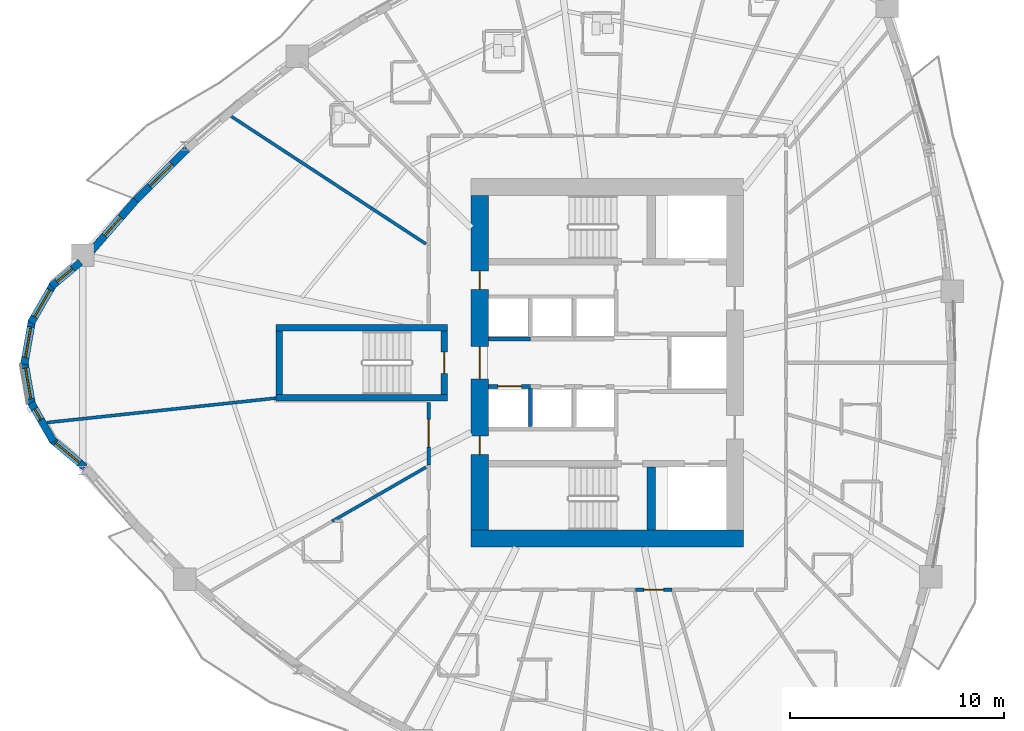
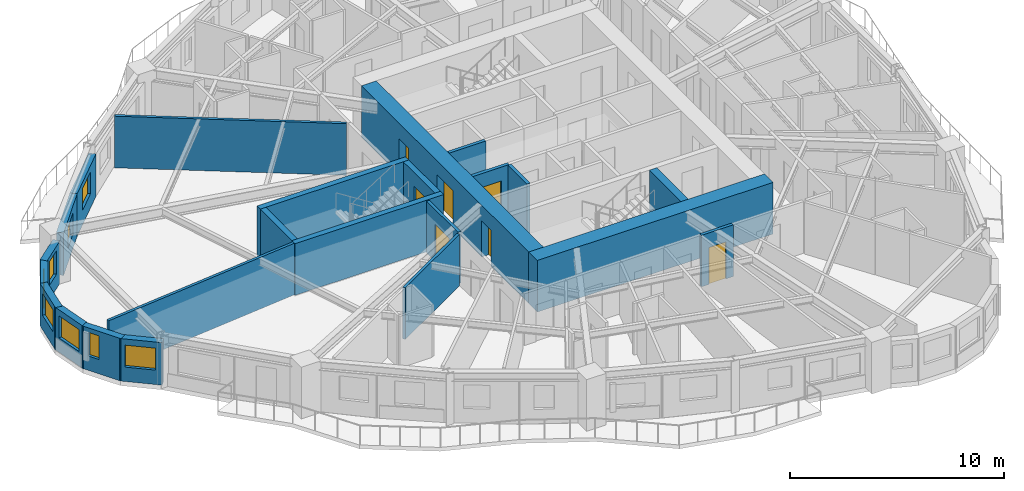
# One storey, part 4 of 14: 23 walls, 8 windows, 7 doors, 15 openings.
"""IFC4 building model written with IfcOpenShell, lengths in metres."""

from ifc_helpers import new_model, si_unit, direction, frame, frame_2d, origin, place, context, subcontext, project, spatial, rectangle, extrude, source, transform, mapped, material, layer, layer_set, type_object, element, fill, save


model = new_model("IFC4")

# Units and contexts
model_context = context("Model", 3, precision=1e-05, world=origin(), true_north=direction((0.0, 1.0)))
body_context = subcontext(model_context, "Body", "Model", "MODEL_VIEW")
ifc_project = project(units=[si_unit("LENGTHUNIT", "METRE"), si_unit("AREAUNIT", "SQUARE_METRE"), si_unit("VOLUMEUNIT", "CUBIC_METRE"), si_unit("PLANEANGLEUNIT", "RADIAN"), si_unit("MASSUNIT", "GRAM", prefix="KILO")], contexts=[model_context])

# Site, building, storey
site_placement = place(None, origin())
site = spatial("IfcSite", under=ifc_project, at=site_placement, CompositionType="ELEMENT")
building_placement = place(site_placement, origin())
building = spatial("IfcBuilding", under=site, at=building_placement, Name="Qafzar Sky-Pleat Residences", CompositionType="ELEMENT")
storey_placement = place(building_placement, frame((0.0, 0.0, 11.0)))
storey = spatial("IfcBuildingStorey", under=building, at=storey_placement, Name="L02", CompositionType="ELEMENT", Elevation=11.0)

# Wall, opening, door
ifc_material_1 = material(Name="Acoustic gypsum plasterboard partition", Category="gypsum")
ifc_layer_1 = layer(ifc_material_1, 0.159912109375)
ifc_layer_set_1 = layer_set([ifc_layer_1], Name="Acoustic gypsum plasterboard partition")
wall_type_1 = type_object("IfcWallType", Name="PART-COR-160", PredefinedType="PARTITIONING", material=ifc_layer_set_1)
wall_1_placement = place(storey_placement, frame((22.02001953125, 21.23291015625, 0.0), z_axis=(0.0, 0.0, 1.0), x_axis=(0.0, 1.0, 0.0)))
wall_1 = element("IfcWall", 1, at=wall_1_placement, inside=storey, type_object=wall_type_1, Name="L02 Partition Wall PART-L02-PW-008", PredefinedType="PARTITIONING", context=body_context, shape_type="SweptSolid", body=[
    extrude(rectangle(XDim=2.9169921875, YDim=0.159912109375, at=frame_2d((1.45849609375, 0.0))), origin(), (0.0, 0.0, 1.0), 2.93994140625),
])
opening_1_placement = place(wall_1_placement, frame((0.830078125, 0.0, 0.0)))
opening_1 = element("IfcOpeningElement", 2, at=opening_1_placement, cuts=wall_1, Name="Opening ID-05", PredefinedType="OPENING", context=body_context, shape_type="SweptSolid", body=[
    extrude(rectangle(XDim=1.300048828125, YDim=2.10009765625, at=frame_2d((0.64990234375, 1.050048828125))), frame((0.0, 0.08984375, 0.0), z_axis=(0.0, -1.0, 0.0), x_axis=(1.0, 0.0, 0.0)), (0.0, 0.0, 1.0), 0.179931640625),
])
ifc_material_2 = material(Name="Timber-faced fire door", Category="wood")
door_type_1 = type_object("IfcDoorType", Name="DR-LNG-1300", OperationType="DOUBLE_DOOR_SINGLE_SWING", PredefinedType="DOOR", material=ifc_material_2)
shared_shape_1 = source(origin(), body_context, "Body", "SweptSolid", [
    extrude(rectangle(XDim=1.300048828125, YDim=2.10009765625, at=frame_2d((0.64990234375, 1.050048828125))), frame((0.0, 0.02490234375, 0.0), z_axis=(0.0, -1.0, 0.0), x_axis=(1.0, 0.0, 0.0)), (0.0, 0.0, 1.0), 0.050048828125),
])
door_1_placement = place(opening_1_placement, origin())
door_1 = element("IfcDoor", 3, at=door_1_placement, inside=storey, type_object=door_type_1, Name="L02 Resident Atrium Foyer Door", OperationType="DOUBLE_DOOR_SINGLE_SWING", OverallHeight=2.10009765625, OverallWidth=1.300048828125, PredefinedType="DOOR", context=body_context, shape_type="MappedRepresentation", body=[
    mapped(shared_shape_1, transform((0.0, 0.0, 0.0), x_axis=(1.0, 0.0, 0.0), y_axis=(0.0, 1.0, 0.0), z_axis=(0.0, 0.0, 1.0), scale=1.0)),
])
fill(opening_1, door_1)

wall_2_placement = place(storey_placement, frame((33.364990234375, 15.419921875, 0.0), z_axis=(0.0, 0.0, 1.0), x_axis=(-1.0, 0.0, 0.0)))
wall_2 = element("IfcWall", 4, at=wall_2_placement, inside=storey, type_object=wall_type_1, Name="L02 Partition Wall PART-L02-PW-037", PredefinedType="PARTITIONING", context=body_context, shape_type="SweptSolid", body=[
    extrude(rectangle(XDim=1.7041015625, YDim=0.159912109375, at=frame_2d((0.85205078125, 0.0))), origin(), (0.0, 0.0, 1.0), 2.93994140625),
])
opening_2_placement = place(wall_2_placement, frame((0.39208984375, 0.0, 0.0)))
opening_2 = element("IfcOpeningElement", 5, at=opening_2_placement, cuts=wall_2, Name="Opening ID-04", PredefinedType="OPENING", context=body_context, shape_type="SweptSolid", body=[
    extrude(rectangle(XDim=0.919921875, YDim=2.10009765625, at=frame_2d((0.4599609375, 1.050048828125))), frame((0.0, 0.08984375, 0.0), z_axis=(0.0, -1.0, 0.0), x_axis=(1.0, 0.0, 0.0)), (0.0, 0.0, 1.0), 0.179931640625),
])
door_type_2 = type_object("IfcDoorType", Name="DR-BED-920", OperationType="NOTDEFINED", PredefinedType="DOOR", material=ifc_material_2)
shared_shape_2 = source(origin(), body_context, "Body", "SweptSolid", [
    extrude(rectangle(XDim=0.919921875, YDim=2.10009765625, at=frame_2d((0.4599609375, 1.050048828125))), frame((0.0, 0.02490234375, 0.0), z_axis=(0.0, -1.0, 0.0), x_axis=(1.0, 0.0, 0.0)), (0.0, 0.0, 1.0), 0.050048828125),
])
door_2_placement = place(opening_2_placement, origin())
door_2 = element("IfcDoor", 6, at=door_2_placement, inside=storey, type_object=door_type_2, Name="L02 Co-Living Bedroom 16 Door", OperationType="SINGLE_SWING_RIGHT", OverallHeight=2.10009765625, OverallWidth=0.919921875, PredefinedType="DOOR", context=body_context, shape_type="MappedRepresentation", body=[
    mapped(shared_shape_2, transform((0.0, 0.0, 0.0), x_axis=(1.0, 0.0, 0.0), y_axis=(0.0, 1.0, 0.0), z_axis=(0.0, 0.0, 1.0), scale=1.0)),
])
fill(opening_2, door_2)

ifc_material_3 = material(Name="Concrete blockwork partition", Category="masonry")
ifc_layer_2 = layer(ifc_material_3, 0.179931640625)
ifc_layer_set_2 = layer_set([ifc_layer_2], Name="Concrete blockwork partition")
wall_type_2 = type_object("IfcWallType", Name="PART-SHAFT-180", PredefinedType="PARTITIONING", material=ifc_layer_set_2)
wall_3_placement = place(storey_placement, frame((24.81005859375, 24.89990234375, 0.0), z_axis=(0.0, 0.0, 1.0), x_axis=(1.0, 0.0, 0.0)))
wall_3 = element("IfcWall", 7, at=wall_3_placement, inside=storey, type_object=wall_type_2, Name="L02 Partition Wall PART-L02-P1-N", PredefinedType="PARTITIONING", context=body_context, shape_type="SweptSolid", body=[
    extrude(rectangle(XDim=1.96484375, YDim=0.179931640625, at=frame_2d((0.982421875, 0.0))), origin(), (0.0, 0.0, 1.0), 2.93994140625),
])
opening_3_placement = place(wall_3_placement, frame((0.4326171875, 0.0, 0.0)))
opening_3 = element("IfcOpeningElement", 8, at=opening_3_placement, cuts=wall_3, Name="Opening LD-01", PredefinedType="OPENING", context=body_context, shape_type="SweptSolid", body=[
    extrude(rectangle(XDim=1.10009765625, YDim=2.14990234375, at=frame_2d((0.550048828125, 1.074951171875))), frame((0.0, 0.10009765625, 0.0), z_axis=(0.0, -1.0, 0.0), x_axis=(1.0, 0.0, 0.0)), (0.0, 0.0, 1.0), 0.199951171875),
])
ifc_material_4 = material(Name="Stainless steel sliding landing door", Category="steel")
door_type_3 = type_object("IfcDoorType", Name="DR-LIFT-P", OperationType="DOUBLE_DOOR_SLIDING", PredefinedType="DOOR", material=ifc_material_4)
shared_shape_3 = source(origin(), body_context, "Body", "SweptSolid", [
    extrude(rectangle(XDim=1.10009765625, YDim=2.14990234375, at=frame_2d((0.550048828125, 1.074951171875))), frame((0.0, 0.02490234375, 0.0), z_axis=(0.0, -1.0, 0.0), x_axis=(1.0, 0.0, 0.0)), (0.0, 0.0, 1.0), 0.050048828125),
])
door_3_placement = place(opening_3_placement, origin())
door_3 = element("IfcDoor", 9, at=door_3_placement, inside=storey, type_object=door_type_3, Name="L02 Passenger Lift P1 Landing Door", OperationType="DOUBLE_DOOR_SLIDING", OverallHeight=2.14990234375, OverallWidth=1.10009765625, PredefinedType="DOOR", context=body_context, shape_type="MappedRepresentation", body=[
    mapped(shared_shape_3, transform((0.0, 0.0, 0.0), x_axis=(1.0, 0.0, 0.0), y_axis=(0.0, 1.0, 0.0), z_axis=(0.0, 0.0, 1.0), scale=1.0)),
])
fill(opening_3, door_3)

# Walls
wall_4_placement = place(storey_placement, frame((26.77490234375, 23.02001953125, 0.0), z_axis=(0.0, 0.0, 1.0), x_axis=(0.0, 1.0, 0.0)))
element("IfcWall", 10, at=wall_4_placement, inside=storey, type_object=wall_type_2, Name="L02 Partition Wall PART-L02-P13-DIV-1", PredefinedType="PARTITIONING", context=body_context, shape_type="SweptSolid", body=[
    extrude(rectangle(XDim=1.780029296875, YDim=0.179931640625, at=frame_2d((0.89013671875, 0.0))), origin(), (0.0, 0.0, 1.0), 2.93994140625),
])
wall_5_placement = place(storey_placement, frame((24.81005859375, 27.10009765625, 0.0), z_axis=(0.0, 0.0, 1.0), x_axis=(1.0, 0.0, 0.0)))
element("IfcWall", 11, at=wall_5_placement, inside=storey, type_object=wall_type_2, Name="L02 Partition Wall PART-L02-P4-S", PredefinedType="PARTITIONING", context=body_context, shape_type="SweptSolid", body=[
    extrude(rectangle(XDim=1.96484375, YDim=0.179931640625, at=frame_2d((0.982421875, 0.0))), origin(), (0.0, 0.0, 1.0), 2.93994140625),
])
ifc_layer_3 = layer(ifc_material_1, 0.14501953125)
ifc_layer_set_3 = layer_set([ifc_layer_3], Name="Acoustic gypsum plasterboard partition")
wall_type_3 = type_object("IfcWallType", Name="PART-UNIT-145", PredefinedType="PARTITIONING", material=ifc_layer_set_3)
wall_6_placement = place(storey_placement, frame((12.82861328125, 37.4794921875, 0.0), z_axis=(0.0, 0.0, 1.0), x_axis=(0.836435846472, -0.548064845376, 0.0)))
element("IfcWall", 12, at=wall_6_placement, inside=storey, type_object=wall_type_3, Name="L02 Partition Wall PART-L02-PW-041", PredefinedType="PARTITIONING", context=body_context, shape_type="SweptSolid", body=[
    extrude(rectangle(XDim=10.837646484375, YDim=0.14501953125, at=frame_2d((5.4189453125, 0.0))), origin(), (0.0, 0.0, 1.0), 2.93994140625),
])
wall_7_placement = place(storey_placement, frame((4.230712890625, 23.21240234375, 0.0), z_axis=(0.0, 0.0, 1.0), x_axis=(0.994353055544, 0.106122575023, 0.0)))
element("IfcWall", 13, at=wall_7_placement, inside=storey, type_object=wall_type_3, Name="L02 Partition Wall PART-L02-PW-042", PredefinedType="PARTITIONING", context=body_context, shape_type="SweptSolid", body=[
    extrude(rectangle(XDim=10.729736328125, YDim=0.14501953125, at=frame_2d((5.36474609375, 0.0))), origin(), (0.0, 0.0, 1.0), 2.93994140625),
])
wall_8_placement = place(storey_placement, frame((17.52392578125, 18.610107421875, 0.0), z_axis=(0.0, 0.0, 1.0), x_axis=(0.866454437228, 0.499256154903, 0.0)))
element("IfcWall", 14, at=wall_8_placement, inside=storey, type_object=wall_type_3, Name="L02 Partition Wall PART-L02-PW-056", PredefinedType="PARTITIONING", context=body_context, shape_type="SweptSolid", body=[
    extrude(rectangle(XDim=5.047119140625, YDim=0.14501953125, at=frame_2d((2.5234375, 0.0))), origin(), (0.0, 0.0, 1.0), 2.93994140625),
])

# Wall, opening, window
ifc_material_5 = material(Name="Precast concrete C40/50 with honed Riyadh limestone", Category="concrete")
ifc_layer_4 = layer(ifc_material_5, 0.35009765625)
ifc_layer_set_4 = layer_set([ifc_layer_4], Name="Precast concrete C40/50 with honed Riyadh limestone")
wall_type_4 = type_object("IfcWallType", Name="WALL-EXT-350", PredefinedType="SOLIDWALL", material=ifc_layer_set_4)
wall_9_placement = place(storey_placement, frame((5.78271484375, 30.696044921875, 0.0), z_axis=(0.0, 0.0, 1.0), x_axis=(-0.766058770736, -0.642770534311, 0.0)))
wall_9 = element("IfcWall", 15, at=wall_9_placement, inside=storey, type_object=wall_type_4, Name="L02 Limestone Facade Wall 1", PredefinedType="SOLIDWALL", context=body_context, shape_type="SweptSolid", body=[
    extrude(rectangle(XDim=1.75244140625, YDim=0.35009765625, at=frame_2d((0.876220703125, 0.0))), origin(), (0.0, 0.0, 1.0), 2.419921875),
])
opening_4_placement = place(wall_9_placement, frame((0.476318359375, 0.0, 0.820068359375)))
opening_4 = element("IfcOpeningElement", 16, at=opening_4_placement, cuts=wall_9, Name="Opening WN-12", PredefinedType="OPENING", context=body_context, shape_type="SweptSolid", body=[
    extrude(rectangle(XDim=0.949951171875, YDim=1.35009765625, at=frame_2d((0.47509765625, 0.675048828125))), frame((0.0, 0.18505859375, 0.0), z_axis=(0.0, -1.0, 0.0), x_axis=(1.0, 0.0, 0.0)), (0.0, 0.0, 1.0), 0.3701171875),
])
ifc_material_6 = material(Name="Solar-control low-E glass in bronze aluminium frame", Category="glass")
window_type_1 = type_object("IfcWindowType", Name="WIN-12", PartitioningType="SINGLE_PANEL", PredefinedType="WINDOW", material=ifc_material_6)
shared_shape_4 = source(origin(), body_context, "Body", "SweptSolid", [
    extrude(rectangle(XDim=0.949951171875, YDim=1.35009765625, at=frame_2d((0.47509765625, 0.675048828125))), frame((0.0, 0.030029296875, 0.0), z_axis=(0.0, -1.0, 0.0), x_axis=(1.0, 0.0, 0.0)), (0.0, 0.0, 1.0), 0.06005859375),
])
window_1_placement = place(opening_4_placement, origin())
window_1 = element("IfcWindow", 17, at=window_1_placement, inside=storey, type_object=window_type_1, Name="L02 Punched Facade Window 01", OverallHeight=1.35009765625, OverallWidth=0.949951171875, PartitioningType="SINGLE_PANEL", PredefinedType="WINDOW", context=body_context, shape_type="MappedRepresentation", body=[
    mapped(shared_shape_4, transform((0.0, 0.0, 0.0), x_axis=(1.0, 0.0, 0.0), y_axis=(0.0, 1.0, 0.0), z_axis=(0.0, 0.0, 1.0), scale=1.0)),
])
fill(opening_4, window_1)

wall_10_placement = place(storey_placement, frame((4.527587890625, 29.673583984375, 0.0), z_axis=(0.0, 0.0, 1.0), x_axis=(-0.499995423472, -0.866028046028, 0.0)))
wall_10 = element("IfcWall", 18, at=wall_10_placement, inside=storey, type_object=wall_type_4, Name="L02 Limestone Facade Wall 2", PredefinedType="SOLIDWALL", context=body_context, shape_type="SweptSolid", body=[
    extrude(rectangle(XDim=2.09033203125, YDim=0.35009765625, at=frame_2d((1.045166015625, 0.0))), origin(), (0.0, 0.0, 1.0), 2.419921875),
])
opening_5_placement = place(wall_10_placement, frame((0.3203125, 0.0, 0.820068359375)))
opening_5 = element("IfcOpeningElement", 19, at=opening_5_placement, cuts=wall_10, Name="Opening WN-15", PredefinedType="OPENING", context=body_context, shape_type="SweptSolid", body=[
    extrude(rectangle(XDim=1.449951171875, YDim=1.25, at=frame_2d((0.72509765625, 0.625))), frame((0.0, 0.18505859375, 0.0), z_axis=(0.0, -1.0, 0.0), x_axis=(1.0, 0.0, 0.0)), (0.0, 0.0, 1.0), 0.3701171875),
])
window_type_2 = type_object("IfcWindowType", Name="WIN-15", PartitioningType="SINGLE_PANEL", PredefinedType="WINDOW", material=ifc_material_6)
shared_shape_5 = source(origin(), body_context, "Body", "SweptSolid", [
    extrude(rectangle(XDim=1.449951171875, YDim=1.25, at=frame_2d((0.72509765625, 0.625))), frame((0.0, 0.030029296875, 0.0), z_axis=(0.0, -1.0, 0.0), x_axis=(1.0, 0.0, 0.0)), (0.0, 0.0, 1.0), 0.06005859375),
])
window_2_placement = place(opening_5_placement, origin())
window_2 = element("IfcWindow", 20, at=window_2_placement, inside=storey, type_object=window_type_2, Name="L02 Punched Facade Window 02", OverallHeight=1.25, OverallWidth=1.449951171875, PartitioningType="SINGLE_PANEL", PredefinedType="WINDOW", context=body_context, shape_type="MappedRepresentation", body=[
    mapped(shared_shape_5, transform((0.0, 0.0, 0.0), x_axis=(1.0, 0.0, 0.0), y_axis=(0.0, 1.0, 0.0), z_axis=(0.0, 0.0, 1.0), scale=1.0)),
])
fill(opening_5, window_2)

wall_11_placement = place(storey_placement, frame((3.52880859375, 27.99072265625, 0.0), z_axis=(0.0, 0.0, 1.0), x_axis=(-0.173672066494, -0.984803540469, 0.0)))
wall_11 = element("IfcWall", 21, at=wall_11_placement, inside=storey, type_object=wall_type_4, Name="L02 Limestone Facade Wall 3", PredefinedType="SOLIDWALL", context=body_context, shape_type="SweptSolid", body=[
    extrude(rectangle(XDim=2.09033203125, YDim=0.35009765625, at=frame_2d((1.045166015625, 0.0))), origin(), (0.0, 0.0, 1.0), 2.419921875),
])
opening_6_placement = place(wall_11_placement, frame((0.3203125, 0.0, 0.820068359375)))
opening_6 = element("IfcOpeningElement", 22, at=opening_6_placement, cuts=wall_11, Name="Opening WN-15", PredefinedType="OPENING", context=body_context, shape_type="SweptSolid", body=[
    extrude(rectangle(XDim=1.449951171875, YDim=1.25, at=frame_2d((0.72509765625, 0.625))), frame((0.0, 0.18505859375, 0.0), z_axis=(0.0, -1.0, 0.0), x_axis=(1.0, 0.0, 0.0)), (0.0, 0.0, 1.0), 0.3701171875),
])
window_3_placement = place(opening_6_placement, origin())
window_3 = element("IfcWindow", 23, at=window_3_placement, inside=storey, type_object=window_type_2, Name="L02 Punched Facade Window 03", OverallHeight=1.25, OverallWidth=1.449951171875, PartitioningType="SINGLE_PANEL", PredefinedType="WINDOW", context=body_context, shape_type="MappedRepresentation", body=[
    mapped(shared_shape_5, transform((0.0, 0.0, 0.0), x_axis=(1.0, 0.0, 0.0), y_axis=(0.0, 1.0, 0.0), z_axis=(0.0, 0.0, 1.0), scale=1.0)),
])
fill(opening_6, window_3)

wall_12_placement = place(storey_placement, frame((3.165771484375, 26.06787109375, 0.0), z_axis=(0.0, 0.0, 1.0), x_axis=(0.173672066494, -0.984803540469, 0.0)))
wall_12 = element("IfcWall", 24, at=wall_12_placement, inside=storey, type_object=wall_type_4, Name="L02 Limestone Facade Wall 4", PredefinedType="SOLIDWALL", context=body_context, shape_type="SweptSolid", body=[
    extrude(rectangle(XDim=2.09033203125, YDim=0.35009765625, at=frame_2d((1.045166015625, 0.0))), origin(), (0.0, 0.0, 1.0), 2.419921875),
])
opening_7_placement = place(wall_12_placement, frame((0.3203125, 0.0, 0.820068359375)))
opening_7 = element("IfcOpeningElement", 25, at=opening_7_placement, cuts=wall_12, Name="Opening WN-15", PredefinedType="OPENING", context=body_context, shape_type="SweptSolid", body=[
    extrude(rectangle(XDim=1.449951171875, YDim=1.25, at=frame_2d((0.72509765625, 0.625))), frame((0.0, 0.18505859375, 0.0), z_axis=(0.0, -1.0, 0.0), x_axis=(1.0, 0.0, 0.0)), (0.0, 0.0, 1.0), 0.3701171875),
])
window_4_placement = place(opening_7_placement, origin())
window_4 = element("IfcWindow", 26, at=window_4_placement, inside=storey, type_object=window_type_2, Name="L02 Punched Facade Window 04", OverallHeight=1.25, OverallWidth=1.449951171875, PartitioningType="SINGLE_PANEL", PredefinedType="WINDOW", context=body_context, shape_type="MappedRepresentation", body=[
    mapped(shared_shape_5, transform((0.0, 0.0, 0.0), x_axis=(1.0, 0.0, 0.0), y_axis=(0.0, 1.0, 0.0), z_axis=(0.0, 0.0, 1.0), scale=1.0)),
])
fill(opening_7, window_4)

wall_13_placement = place(storey_placement, frame((3.482421875, 24.13671875, 0.0), z_axis=(0.0, 0.0, 1.0), x_axis=(0.499995423472, -0.866028046028, 0.0)))
wall_13 = element("IfcWall", 27, at=wall_13_placement, inside=storey, type_object=wall_type_4, Name="L02 Limestone Facade Wall 5", PredefinedType="SOLIDWALL", context=body_context, shape_type="SweptSolid", body=[
    extrude(rectangle(XDim=2.09033203125, YDim=0.35009765625, at=frame_2d((1.045166015625, 0.0))), origin(), (0.0, 0.0, 1.0), 2.419921875),
])
opening_8_placement = place(wall_13_placement, frame((0.332763671875, 0.0, 0.820068359375)))
opening_8 = element("IfcOpeningElement", 28, at=opening_8_placement, cuts=wall_13, Name="Opening WN-17", PredefinedType="OPENING", context=body_context, shape_type="SweptSolid", body=[
    extrude(rectangle(XDim=0.580078125, YDim=1.35009765625, at=frame_2d((0.2900390625, 0.675048828125))), frame((0.0, 0.18505859375, 0.0), z_axis=(0.0, -1.0, 0.0), x_axis=(1.0, 0.0, 0.0)), (0.0, 0.0, 1.0), 0.3701171875),
])
window_type_3 = type_object("IfcWindowType", Name="WIN-17", PartitioningType="SINGLE_PANEL", PredefinedType="WINDOW", material=ifc_material_6)
shared_shape_6 = source(origin(), body_context, "Body", "SweptSolid", [
    extrude(rectangle(XDim=0.580078125, YDim=1.35009765625, at=frame_2d((0.2900390625, 0.675048828125))), frame((0.0, 0.030029296875, 0.0), z_axis=(0.0, -1.0, 0.0), x_axis=(1.0, 0.0, 0.0)), (0.0, 0.0, 1.0), 0.06005859375),
])
window_5_placement = place(opening_8_placement, origin())
window_5 = element("IfcWindow", 29, at=window_5_placement, inside=storey, type_object=window_type_3, Name="L02 Punched Facade Window 05", OverallHeight=1.35009765625, OverallWidth=0.580078125, PartitioningType="SINGLE_PANEL", PredefinedType="WINDOW", context=body_context, shape_type="MappedRepresentation", body=[
    mapped(shared_shape_6, transform((0.0, 0.0, 0.0), x_axis=(1.0, 0.0, 0.0), y_axis=(0.0, 1.0, 0.0), z_axis=(0.0, 0.0, 1.0), scale=1.0)),
])
fill(opening_8, window_5)

wall_14_placement = place(storey_placement, frame((4.440185546875, 22.430419921875, 0.0), z_axis=(0.0, 0.0, 1.0), x_axis=(0.766090423188, -0.642732808793, 0.0)))
wall_14 = element("IfcWall", 30, at=wall_14_placement, inside=storey, type_object=wall_type_4, Name="L02 Limestone Facade Wall 6", PredefinedType="SOLIDWALL", context=body_context, shape_type="SweptSolid", body=[
    extrude(rectangle(XDim=2.032470703125, YDim=0.35009765625, at=frame_2d((1.01611328125, 0.0))), origin(), (0.0, 0.0, 1.0), 2.419921875),
])
opening_9_placement = place(wall_14_placement, frame((0.26123046875, 0.0, 0.820068359375)))
opening_9 = element("IfcOpeningElement", 31, at=opening_9_placement, cuts=wall_14, Name="Opening WN-15", PredefinedType="OPENING", context=body_context, shape_type="SweptSolid", body=[
    extrude(rectangle(XDim=1.449951171875, YDim=1.25, at=frame_2d((0.72509765625, 0.625))), frame((0.0, 0.18505859375, 0.0), z_axis=(0.0, -1.0, 0.0), x_axis=(1.0, 0.0, 0.0)), (0.0, 0.0, 1.0), 0.3701171875),
])
window_6_placement = place(opening_9_placement, origin())
window_6 = element("IfcWindow", 32, at=window_6_placement, inside=storey, type_object=window_type_2, Name="L02 Punched Facade Window 06", OverallHeight=1.25, OverallWidth=1.449951171875, PartitioningType="SINGLE_PANEL", PredefinedType="WINDOW", context=body_context, shape_type="MappedRepresentation", body=[
    mapped(shared_shape_5, transform((0.0, 0.0, 0.0), x_axis=(1.0, 0.0, 0.0), y_axis=(0.0, 1.0, 0.0), z_axis=(0.0, 0.0, 1.0), scale=1.0)),
])
fill(opening_9, window_6)

wall_15_placement = place(storey_placement, frame((10.75830078125, 35.96142578125, 0.0), z_axis=(0.0, 0.0, 1.0), x_axis=(-0.708411305333, -0.705799845903, 0.0)))
wall_15 = element("IfcWall", 33, at=wall_15_placement, inside=storey, type_object=wall_type_4, Name="L02 Limestone Facade Wall 47", PredefinedType="SOLIDWALL", context=body_context, shape_type="SweptSolid", body=[
    extrude(rectangle(XDim=3.458984375, YDim=0.35009765625, at=frame_2d((1.7294921875, 0.0))), origin(), (0.0, 0.0, 1.0), 2.419921875),
])
opening_10_placement = place(wall_15_placement, frame((0.99462890625, 0.0, 0.820068359375)))
opening_10 = element("IfcOpeningElement", 34, at=opening_10_placement, cuts=wall_15, Name="Opening WN-15", PredefinedType="OPENING", context=body_context, shape_type="SweptSolid", body=[
    extrude(rectangle(XDim=1.449951171875, YDim=1.25, at=frame_2d((0.72509765625, 0.625))), frame((0.0, 0.18505859375, 0.0), z_axis=(0.0, -1.0, 0.0), x_axis=(1.0, 0.0, 0.0)), (0.0, 0.0, 1.0), 0.3701171875),
])
window_7_placement = place(opening_10_placement, origin())
window_7 = element("IfcWindow", 35, at=window_7_placement, inside=storey, type_object=window_type_2, Name="L02 Punched Facade Window 47", OverallHeight=1.25, OverallWidth=1.449951171875, PartitioningType="SINGLE_PANEL", PredefinedType="WINDOW", context=body_context, shape_type="MappedRepresentation", body=[
    mapped(shared_shape_5, transform((0.0, 0.0, 0.0), x_axis=(1.0, 0.0, 0.0), y_axis=(0.0, 1.0, 0.0), z_axis=(0.0, 0.0, 1.0), scale=1.0)),
])
fill(opening_10, window_7)

wall_16_placement = place(storey_placement, frame((8.3681640625, 33.584228515625, 0.0), z_axis=(0.0, 0.0, 1.0), x_axis=(-0.657638042269, -0.753334059605, 0.0)))
wall_16 = element("IfcWall", 36, at=wall_16_placement, inside=storey, type_object=wall_type_4, Name="L02 Limestone Facade Wall 48", PredefinedType="SOLIDWALL", context=body_context, shape_type="SweptSolid", body=[
    extrude(rectangle(XDim=3.252685546875, YDim=0.35009765625, at=frame_2d((1.62646484375, 0.0))), origin(), (0.0, 0.0, 1.0), 2.419921875),
])
opening_11_placement = place(wall_16_placement, frame((1.056396484375, 0.0, 0.820068359375)))
opening_11 = element("IfcOpeningElement", 37, at=opening_11_placement, cuts=wall_16, Name="Opening WN-16", PredefinedType="OPENING", context=body_context, shape_type="SweptSolid", body=[
    extrude(rectangle(XDim=1.14990234375, YDim=1.199951171875, at=frame_2d((0.574951171875, 0.60009765625))), frame((0.0, 0.18505859375, 0.0), z_axis=(0.0, -1.0, 0.0), x_axis=(1.0, 0.0, 0.0)), (0.0, 0.0, 1.0), 0.3701171875),
])
window_type_4 = type_object("IfcWindowType", Name="WIN-16", PartitioningType="SINGLE_PANEL", PredefinedType="WINDOW", material=ifc_material_6)
shared_shape_7 = source(origin(), body_context, "Body", "SweptSolid", [
    extrude(rectangle(XDim=1.14990234375, YDim=1.199951171875, at=frame_2d((0.574951171875, 0.60009765625))), frame((0.0, 0.030029296875, 0.0), z_axis=(0.0, -1.0, 0.0), x_axis=(1.0, 0.0, 0.0)), (0.0, 0.0, 1.0), 0.06005859375),
])
window_8_placement = place(opening_11_placement, origin())
window_8 = element("IfcWindow", 38, at=window_8_placement, inside=storey, type_object=window_type_4, Name="L02 Punched Facade Window 48", OverallHeight=1.199951171875, OverallWidth=1.14990234375, PartitioningType="SINGLE_PANEL", PredefinedType="WINDOW", context=body_context, shape_type="MappedRepresentation", body=[
    mapped(shared_shape_7, transform((0.0, 0.0, 0.0), x_axis=(1.0, 0.0, 0.0), y_axis=(0.0, 1.0, 0.0), z_axis=(0.0, 0.0, 1.0), scale=1.0)),
])
fill(opening_11, window_8)

# Walls
ifc_material_7 = material(Name="Concrete C60/75", Category="concrete")
ifc_layer_5 = layer(ifc_material_7, 0.300048828125)
ifc_layer_set_5 = layer_set([ifc_layer_5], Name="Concrete C60/75")
wall_type_5 = type_object("IfcWallType", Name="WALL-SHEAR-300", PredefinedType="SHEAR", material=ifc_layer_set_5)
for number, where, z_axis, x_axis, name in (
    (39, (14.89990234375, 24.375, 0.0), (0.0, 0.0, 1.0), (1.0, 0.0, 0.0), "L02 ST3 wall S"),
    (40, (22.89990234375, 27.625, 0.0), (0.0, 0.0, 1.0), (-1.0, 0.0, 0.0), "L02 ST3 wall N"),
):
    element("IfcWall", number, at=place(storey_placement, frame(where, z_axis=z_axis, x_axis=x_axis)), inside=storey, type_object=wall_type_5, Name=name, PredefinedType="SHEAR", context=body_context, shape_type="SweptSolid", body=[
        extrude(rectangle(XDim=8.0, YDim=0.300048828125, at=frame_2d((4.0, 0.0))), origin(), (0.0, 0.0, 1.0), 2.93994140625),
    ])
wall_17_placement = place(storey_placement, frame((15.050048828125, 27.47509765625, 0.0), z_axis=(0.0, 0.0, 1.0), x_axis=(0.0, -1.0, 0.0)))
element("IfcWall", 41, at=wall_17_placement, inside=storey, type_object=wall_type_5, Name="L02 ST3 wall W", PredefinedType="SHEAR", context=body_context, shape_type="SweptSolid", body=[
    extrude(rectangle(XDim=2.9501953125, YDim=0.300048828125, at=frame_2d((1.47509765625, 0.0))), origin(), (0.0, 0.0, 1.0), 2.93994140625),
])

# Wall, opening, door
wall_18_placement = place(storey_placement, frame((22.75, 24.52490234375, 0.0), z_axis=(0.0, 0.0, 1.0), x_axis=(0.0, 1.0, 0.0)))
wall_18 = element("IfcWall", 42, at=wall_18_placement, inside=storey, type_object=wall_type_5, Name="L02 ST3 wall E", PredefinedType="SHEAR", context=body_context, shape_type="SweptSolid", body=[
    extrude(rectangle(XDim=2.9501953125, YDim=0.300048828125, at=frame_2d((1.47509765625, 0.0))), origin(), (0.0, 0.0, 1.0), 2.93994140625),
])
opening_12_placement = place(wall_18_placement, frame((0.985107421875, 0.0, 0.0)))
opening_12 = element("IfcOpeningElement", 43, at=opening_12_placement, cuts=wall_18, Name="Opening ID-01", PredefinedType="OPENING", context=body_context, shape_type="SweptSolid", body=[
    extrude(rectangle(XDim=0.97998046875, YDim=2.14990234375, at=frame_2d((0.489990234375, 1.074951171875))), frame((0.0, 0.16015625, 0.0), z_axis=(0.0, -1.0, 0.0), x_axis=(1.0, 0.0, 0.0)), (0.0, 0.0, 1.0), 0.320068359375),
])
door_type_4 = type_object("IfcDoorType", Name="DR-STAIR-980", OperationType="NOTDEFINED", PredefinedType="DOOR", material=ifc_material_2)
shared_shape_8 = source(origin(), body_context, "Body", "SweptSolid", [
    extrude(rectangle(XDim=0.97998046875, YDim=2.14990234375, at=frame_2d((0.489990234375, 1.074951171875))), frame((0.0, 0.02490234375, 0.0), z_axis=(0.0, -1.0, 0.0), x_axis=(1.0, 0.0, 0.0)), (0.0, 0.0, 1.0), 0.050048828125),
])
door_4_placement = place(opening_12_placement, origin())
door_4 = element("IfcDoor", 44, at=door_4_placement, inside=storey, type_object=door_type_4, Name="L02 Stair ST3 Fire Door", OperationType="SINGLE_SWING_LEFT", OverallHeight=2.14990234375, OverallWidth=0.97998046875, PredefinedType="DOOR", context=body_context, shape_type="MappedRepresentation", body=[
    mapped(shared_shape_8, transform((0.0, 0.0, 0.0), x_axis=(1.0, 0.0, 0.0), y_axis=(0.0, 1.0, 0.0), z_axis=(0.0, 0.0, 1.0), scale=1.0)),
])
fill(opening_12, door_4)

# Walls
ifc_layer_6 = layer(ifc_material_7, 0.39990234375)
ifc_layer_set_6 = layer_set([ifc_layer_6], Name="Concrete C60/75")
wall_type_6 = type_object("IfcWallType", Name="WALL-SHEAR-400", PredefinedType="SHEAR", material=ifc_layer_set_6)
wall_19_placement = place(storey_placement, frame((32.39990234375, 18.199951171875, 0.0), z_axis=(0.0, 0.0, 1.0), x_axis=(0.0, 1.0, 0.0)))
element("IfcWall", 45, at=wall_19_placement, inside=storey, type_object=wall_type_6, Name="L02 Stair ST1 East Dividing Wall", PredefinedType="SHEAR", context=body_context, shape_type="SweptSolid", body=[
    extrude(rectangle(XDim=2.949951171875, YDim=0.39990234375, at=frame_2d((1.47509765625, 0.0))), origin(), (0.0, 0.0, 1.0), 2.93994140625),
])
ifc_layer_7 = layer(ifc_material_7, 0.800048828125)
ifc_layer_set_7 = layer_set([ifc_layer_7], Name="Concrete C60/75")
wall_type_7 = type_object("IfcWallType", Name="WALL-SHEAR-800", PredefinedType="SHEAR", material=ifc_layer_set_7)
wall_20_placement = place(storey_placement, frame((24.0, 17.800048828125, 0.0), z_axis=(0.0, 0.0, 1.0), x_axis=(1.0, 0.0, 0.0)))
element("IfcWall", 46, at=wall_20_placement, inside=storey, type_object=wall_type_7, Name="L02 CORE wall S", PredefinedType="SHEAR", context=body_context, shape_type="SweptSolid", body=[
    extrude(rectangle(XDim=12.699951171875, YDim=0.800048828125, at=frame_2d((6.35009765625, 0.0))), origin(), (0.0, 0.0, 1.0), 2.93994140625),
])

# Wall, openings, doors
wall_21_placement = place(storey_placement, frame((24.39990234375, 33.800048828125, 0.0), z_axis=(0.0, 0.0, 1.0), x_axis=(0.0, -1.0, 0.0)))
wall_21 = element("IfcWall", 47, at=wall_21_placement, inside=storey, type_object=wall_type_7, Name="L02 CORE wall W", PredefinedType="SHEAR", context=body_context, shape_type="SweptSolid", body=[
    extrude(rectangle(XDim=15.60009765625, YDim=0.800048828125, at=frame_2d((7.800048828125, 0.0))), origin(), (0.0, 0.0, 1.0), 2.93994140625),
])
opening_13_placement = place(wall_21_placement, frame((7.050048828125, 0.0, 0.0)))
opening_13 = element("IfcOpeningElement", 48, at=opening_13_placement, cuts=wall_21, Name="Opening ID-03", PredefinedType="OPENING", context=body_context, shape_type="SweptSolid", body=[
    extrude(rectangle(XDim=1.5, YDim=2.14990234375, at=frame_2d((0.75, 1.074951171875))), frame((0.0, 0.41015625, 0.0), z_axis=(0.0, -1.0, 0.0), x_axis=(1.0, 0.0, 0.0)), (0.0, 0.0, 1.0), 0.820068359375),
])
opening_14_placement = place(wall_21_placement, frame((3.52001953125, 0.0, 0.0)))
opening_14 = element("IfcOpeningElement", 49, at=opening_14_placement, cuts=wall_21, Name="Opening ID-09", PredefinedType="OPENING", context=body_context, shape_type="SweptSolid", body=[
    extrude(rectangle(XDim=0.860107421875, YDim=2.050048828125, at=frame_2d((0.43017578125, 1.02490234375))), frame((0.0, 0.41015625, 0.0), z_axis=(0.0, -1.0, 0.0), x_axis=(1.0, 0.0, 0.0)), (0.0, 0.0, 1.0), 0.820068359375),
])
opening_15_placement = place(wall_21_placement, frame((11.219970703125, 0.0, 0.0)))
opening_15 = element("IfcOpeningElement", 50, at=opening_15_placement, cuts=wall_21, Name="Opening ID-09", PredefinedType="OPENING", context=body_context, shape_type="SweptSolid", body=[
    extrude(rectangle(XDim=0.860107421875, YDim=2.050048828125, at=frame_2d((0.43017578125, 1.02490234375))), frame((0.0, 0.41015625, 0.0), z_axis=(0.0, -1.0, 0.0), x_axis=(1.0, 0.0, 0.0)), (0.0, 0.0, 1.0), 0.820068359375),
])
door_type_5 = type_object("IfcDoorType", Name="DR-COR-1500", OperationType="DOUBLE_DOOR_SINGLE_SWING", PredefinedType="DOOR", material=ifc_material_2)
shared_shape_9 = source(origin(), body_context, "Body", "SweptSolid", [
    extrude(rectangle(XDim=1.5, YDim=2.14990234375, at=frame_2d((0.75, 1.074951171875))), frame((0.0, 0.02490234375, 0.0), z_axis=(0.0, -1.0, 0.0), x_axis=(1.0, 0.0, 0.0)), (0.0, 0.0, 1.0), 0.050048828125),
])
door_5_placement = place(opening_13_placement, origin())
door_5 = element("IfcDoor", 51, at=door_5_placement, inside=storey, type_object=door_type_5, Name="L02 Lift Lobby West Double Door", OperationType="DOUBLE_DOOR_SINGLE_SWING", OverallHeight=2.14990234375, OverallWidth=1.5, PredefinedType="DOOR", context=body_context, shape_type="MappedRepresentation", body=[
    mapped(shared_shape_9, transform((0.0, 0.0, 0.0), x_axis=(1.0, 0.0, 0.0), y_axis=(0.0, 1.0, 0.0), z_axis=(0.0, 0.0, 1.0), scale=1.0)),
])
fill(opening_13, door_5)
door_type_6 = type_object("IfcDoorType", Name="DR-SVC-860", OperationType="NOTDEFINED", PredefinedType="DOOR", material=ifc_material_2)
shared_shape_10 = source(origin(), body_context, "Body", "SweptSolid", [
    extrude(rectangle(XDim=0.860107421875, YDim=2.050048828125, at=frame_2d((0.43017578125, 1.02490234375))), frame((0.0, 0.02490234375, 0.0), z_axis=(0.0, -1.0, 0.0), x_axis=(1.0, 0.0, 0.0)), (0.0, 0.0, 1.0), 0.050048828125),
])
door_6_placement = place(opening_14_placement, origin())
door_6 = element("IfcDoor", 52, at=door_6_placement, inside=storey, type_object=door_type_6, Name="L02 Core North-West Service Door", OperationType="SINGLE_SWING_RIGHT", OverallHeight=2.050048828125, OverallWidth=0.860107421875, PredefinedType="DOOR", context=body_context, shape_type="MappedRepresentation", body=[
    mapped(shared_shape_10, transform((0.0, 0.0, 0.0), x_axis=(1.0, 0.0, 0.0), y_axis=(0.0, 1.0, 0.0), z_axis=(0.0, 0.0, 1.0), scale=1.0)),
])
fill(opening_14, door_6)
door_7_placement = place(opening_15_placement, origin())
door_7 = element("IfcDoor", 53, at=door_7_placement, inside=storey, type_object=door_type_6, Name="L02 Core South-West Service Door", OperationType="SINGLE_SWING_LEFT", OverallHeight=2.050048828125, OverallWidth=0.860107421875, PredefinedType="DOOR", context=body_context, shape_type="MappedRepresentation", body=[
    mapped(shared_shape_10, transform((0.0, 0.0, 0.0), x_axis=(1.0, 0.0, 0.0), y_axis=(0.0, 1.0, 0.0), z_axis=(0.0, 0.0, 1.0), scale=1.0)),
])
fill(opening_15, door_7)

save(model, "model.ifc")
